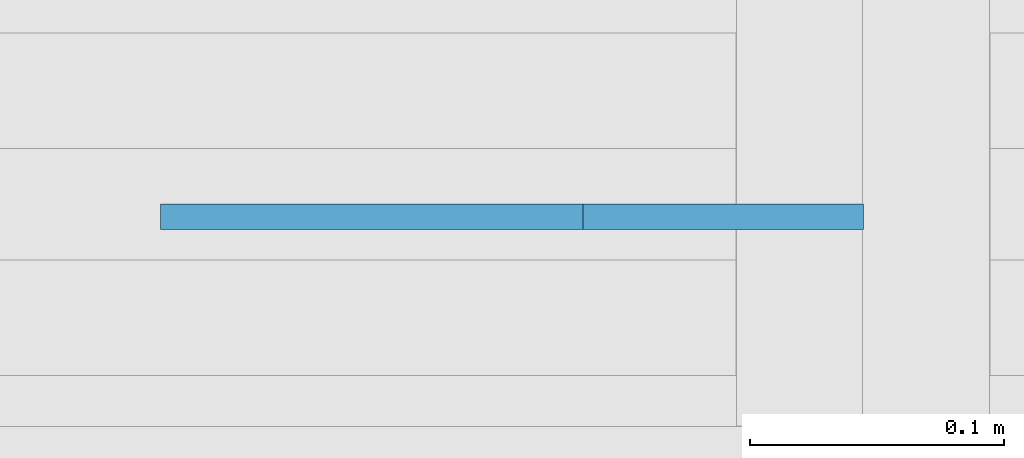
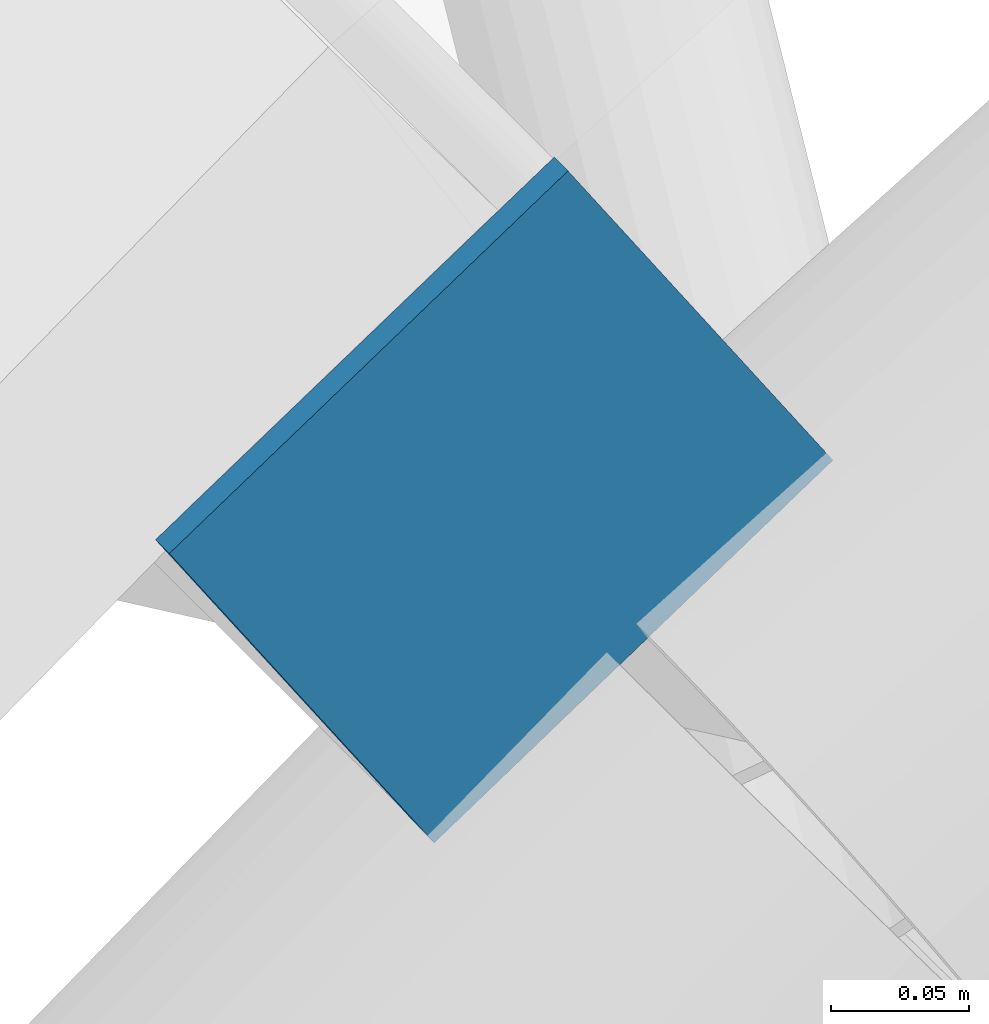
# One storey, part 128 of 153: 1 discrete accessory.
"""IFC4 building model written with IfcOpenShell, lengths in metres."""

import ifcopenshell
import ifcopenshell.guid

model = None  # the IFC model being written
_history = None  # IfcOwnerHistory: only IFC2X3 demands one
_inside = {}  # id of a spatial element -> (the spatial element, [elements in it])
_under = {}  # id of a project, library or spatial element -> (it, [spatial elements below it])
_declared = {}  # id of a project -> (the project, [libraries it declares])
_typed = {}  # id of a type object -> (the type object, [elements of that type])
_made_of = {}  # id of a material, layer set ... -> (it, [elements and type objects made of it])


def new_model(schema):
    """Start an empty IFC model of exactly this schema.

    Asked for "IFC4X3", IfcOpenShell would pick the latest addendum, in which some entities
    have other attributes; the version numbers below select the first issue.
    IFC2X3 requires an IfcOwnerHistory on every rooted entity: one is made here for all.
    """
    global model, _history
    if schema == "IFC4X3":
        model = ifcopenshell.file(schema_version=(4, 3, 0, 0))
    else:
        model = ifcopenshell.file(schema=schema)
    _inside.clear()
    _under.clear()
    _declared.clear()
    _typed.clear()
    _made_of.clear()
    _history = None
    if model.schema == "IFC2X3":
        org = make("IfcOrganization", Name="unknown")
        user = make(
            "IfcPersonAndOrganization",
            ThePerson=make("IfcPerson", FamilyName="unknown"),
            TheOrganization=org,
        )
        app = make(
            "IfcApplication",
            ApplicationDeveloper=org,
            Version="unknown",
            ApplicationFullName="unknown",
            ApplicationIdentifier="unknown",
        )
        _history = make(
            "IfcOwnerHistory",
            OwningUser=user,
            OwningApplication=app,
            ChangeAction="ADDED",
            CreationDate=0,
        )
    return model


def make(cls, **values):
    """One entity of the class cls with the attributes given. An attribute that is None is left unset."""
    return model.create_entity(
        cls, **{name: value for name, value in values.items() if value is not None}
    )


def rooted(cls, **values):
    """An entity with a GlobalId (a new one), such as an element, a storey or a relation."""
    return make(cls, GlobalId=ifcopenshell.guid.new(), OwnerHistory=_history, **values)


def si_unit(unit_type, name, prefix=None):
    """IfcSIUnit, for example si_unit("LENGTHUNIT", "METRE", prefix="MILLI")."""
    return make("IfcSIUnit", UnitType=unit_type, Prefix=prefix, Name=name)


def assignment(units):
    """IfcUnitAssignment: the units of a project."""
    return None if units is None else make("IfcUnitAssignment", Units=units)


def point(xyz):
    """IfcCartesianPoint."""
    return None if xyz is None else make("IfcCartesianPoint", Coordinates=xyz)


def direction(xyz):
    """IfcDirection."""
    return None if xyz is None else make("IfcDirection", DirectionRatios=xyz)


def frame(location, z_axis=None, x_axis=None):
    """IfcAxis2Placement3D, a coordinate frame: its origin and axes. An axis left out is left unset."""
    return make(
        "IfcAxis2Placement3D",
        Location=point(location),
        Axis=direction(z_axis),
        RefDirection=direction(x_axis),
    )


def frame_2d(location, x_axis=None):
    """IfcAxis2Placement2D, a coordinate frame in the plane: its origin and x axis."""
    return make(
        "IfcAxis2Placement2D", Location=point(location), RefDirection=direction(x_axis)
    )


def origin():
    """The frame at (0, 0, 0) with its axes left unset."""
    return frame((0.0, 0.0, 0.0))


def origin_2d():
    """The frame at (0, 0) in the plane with its x axis left unset."""
    return frame_2d((0.0, 0.0))


def place(relative_to, where):
    """IfcLocalPlacement: puts the frame where relative to a parent placement (None: the world)."""
    return make(
        "IfcLocalPlacement", PlacementRelTo=relative_to, RelativePlacement=where
    )


def context(
    kind, dimensions, precision=None, world=None, true_north=None, identifier=None
):
    """IfcGeometricRepresentationContext, for example the 3D "Model" context."""
    return make(
        "IfcGeometricRepresentationContext",
        ContextIdentifier=identifier,
        ContextType=kind,
        CoordinateSpaceDimension=dimensions,
        Precision=precision,
        WorldCoordinateSystem=world,
        TrueNorth=true_north,
    )


def subcontext(parent, identifier, kind, view, scale=None):
    """IfcGeometricRepresentationSubContext, for example "Body" below "Model"."""
    return make(
        "IfcGeometricRepresentationSubContext",
        ContextIdentifier=identifier,
        ContextType=kind,
        ParentContext=parent,
        TargetScale=scale,
        TargetView=view,
    )


def project(units=None, contexts=None):
    """IfcProject with its units and contexts."""
    return rooted(
        "IfcProject",
        Name="project",
        RepresentationContexts=contexts,
        UnitsInContext=assignment(units),
    )


def spatial(cls, under=None, at=None, **own):
    """A site, building, storey or space (cls), placed at a placement, below another one or the project."""
    s = rooted(cls, ObjectPlacement=at, **own)
    if under is not None:
        _under.setdefault(under.id(), (under, []))[1].append(s)
    return s


def profile(cls, at=None, kind="AREA", **sizes):
    """A parametric profile (cls). Its sizes go by their IFC names, for example OverallWidth=200.0."""
    return make(cls, ProfileType=kind, Position=at, **sizes)


def rectangle(**sizes):
    """IfcRectangleProfileDef."""
    return profile("IfcRectangleProfileDef", **sizes)


def extrude(swept, where, along, depth):
    """IfcExtrudedAreaSolid: the profile swept, set in the frame where, extruded along a direction by depth."""
    return make(
        "IfcExtrudedAreaSolid",
        SweptArea=swept,
        Position=where,
        ExtrudedDirection=direction(along),
        Depth=depth,
    )


def shape(context_of_items, identifier, shape_type, items):
    """IfcShapeRepresentation: the items that make up one representation, for example the "Body"."""
    return make(
        "IfcShapeRepresentation",
        ContextOfItems=context_of_items,
        RepresentationIdentifier=identifier,
        RepresentationType=shape_type,
        Items=items,
    )


def material(Name=None, Category=None):
    """IfcMaterial."""
    return make("IfcMaterial", Name=Name, Category=Category)


def made_of(thing, what):
    """Note that an element or type object is made of a material, layer set ...; save() writes the relation."""
    if what is not None:
        _made_of.setdefault(what.id(), (what, []))[1].append(thing)
    return thing


def type_object(cls, material=None, **own):
    """A type object (cls), such as IfcWallType, which elements share."""
    return made_of(rooted(cls, **own), material)


def element(
    cls,
    number,
    at=None,
    inside=None,
    cuts=None,
    type_object=None,
    material=None,
    context=None,
    identifier="Body",
    shape_type=None,
    held_by="IfcProductDefinitionShape",
    body=None,
    shapes=None,
    **own,
):
    """One element of the class cls, such as IfcWall. Its Tag is "e" and its number.

    at: its placement. inside: the storey or other place that contains it. cuts: it is an
    opening in that element (IfcRelVoidsElement). A single representation is given by context,
    identifier, shape_type and body (its items); several are given by shapes. held_by: the class
    of the entity that holds the representations. save() writes the other relations.
    """
    e = rooted(cls, Tag="e%d" % number, ObjectPlacement=at, **own)
    if body is not None:
        shapes = [shape(context, identifier, shape_type, body)]
    if shapes is not None:
        e.Representation = make(held_by, Representations=shapes)
    if inside is not None:
        _inside.setdefault(inside.id(), (inside, []))[1].append(e)
    if cuts is not None:
        rooted(
            "IfcRelVoidsElement", RelatingBuildingElement=cuts, RelatedOpeningElement=e
        )
    if type_object is not None:
        _typed.setdefault(type_object.id(), (type_object, []))[1].append(e)
    return made_of(e, material)


def aggregate(whole, parts):
    """IfcRelAggregates: a whole, such as a stair, and the parts it consists of."""
    return rooted("IfcRelAggregates", RelatingObject=whole, RelatedObjects=parts)


def save(model, path):
    """Write the relations noted so far, then the file.

    IfcRelAggregates (storeys below a building ...), IfcRelContainedInSpatialStructure (elements
    in a storey), IfcRelDefinesByType, IfcRelAssociatesMaterial and IfcRelDeclares: one each for
    every whole, place, type object, material and project.
    """
    for whole, parts in _under.values():
        aggregate(whole, parts)
    for where, things in _inside.values():
        rooted(
            "IfcRelContainedInSpatialStructure",
            RelatedElements=things,
            RelatingStructure=where,
        )
    for kind, things in _typed.values():
        rooted("IfcRelDefinesByType", RelatedObjects=things, RelatingType=kind)
    for what, things in _made_of.values():
        rooted("IfcRelAssociatesMaterial", RelatedObjects=things, RelatingMaterial=what)
    for by, libraries in _declared.values():
        rooted("IfcRelDeclares", RelatingContext=by, RelatedDefinitions=libraries)
    model.write(path)


model = new_model("IFC4")

# Units and contexts
model_context = context("Model", 3, precision=1e-05, world=origin(), true_north=direction((0.0, 1.0)))
body_context = subcontext(model_context, "Body", "Model", "MODEL_VIEW")
ifc_project = project(units=[si_unit("LENGTHUNIT", "METRE"), si_unit("AREAUNIT", "SQUARE_METRE"), si_unit("VOLUMEUNIT", "CUBIC_METRE"), si_unit("PLANEANGLEUNIT", "RADIAN"), si_unit("MASSUNIT", "GRAM", prefix="KILO")], contexts=[model_context])

# Site, building, storey
site_placement = place(None, origin())
site = spatial("IfcSite", under=ifc_project, at=site_placement, CompositionType="ELEMENT")
building_placement = place(site_placement, origin())
building = spatial("IfcBuilding", under=site, at=building_placement, Name="Baradari Gate Terminus", CompositionType="ELEMENT")
storey_placement = place(building_placement, frame((0.0, 0.0, 11.699951171875)))
storey = spatial("IfcBuildingStorey", under=building, at=storey_placement, Name="L02", CompositionType="ELEMENT", Elevation=11.699951171875)

# Discrete accessory
ifc_material = material(Name="Steel S355", Category="steel")
discrete_accessory_type = type_object("IfcDiscreteAccessoryType", Name="Hollow section end plate EP-1 200x200x10", PredefinedType="ANCHORPLATE", material=ifc_material)
discrete_accessory_placement = place(storey_placement, frame((137.861572265625, 81.5400390625, 2.530517578125), z_axis=(0.0, 1.0, 0.0), x_axis=(-0.832836263724, 0.0, -0.55351942859)))
element("IfcDiscreteAccessory", 1, at=discrete_accessory_placement, inside=storey, type_object=discrete_accessory_type, Name="End plate EP-1 at the start of TR/L02/VP1-PU01", PredefinedType="ANCHORPLATE", context=body_context, shape_type="SweptSolid", body=[
    extrude(rectangle(XDim=0.199951171875, YDim=0.199951171875, at=origin_2d()), origin(), (0.0, 0.0, 1.0), 0.010009765625),
])

save(model, "model.ifc")
